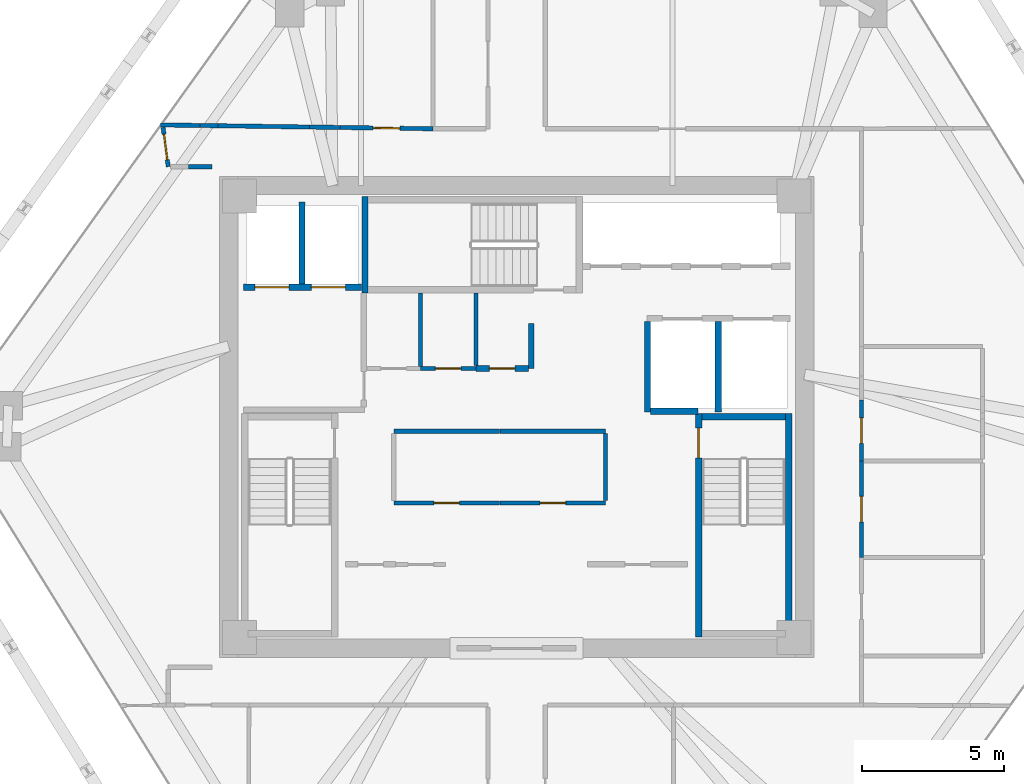
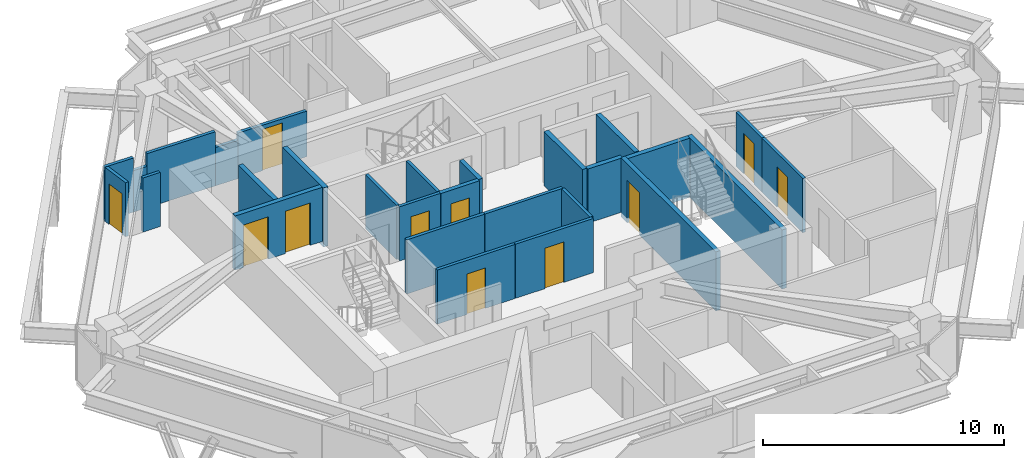
# One storey, part 9 of 12: 28 walls, 11 doors, 11 openings.
"""IFC4 building model written with IfcOpenShell, lengths in metres."""

from ifc_helpers import new_model, si_unit, direction, frame, frame_2d, origin, place, context, subcontext, project, spatial, rectangle, extrude, source, transform, mapped, material, layer, layer_set, type_object, type_shapes, element, fill, save


model = new_model("IFC4")

# Units and contexts
model_context = context("Model", 3, precision=1e-05, world=origin(), true_north=direction((0.0, 1.0)))
body_context = subcontext(model_context, "Body", "Model", "MODEL_VIEW")
ifc_project = project(units=[si_unit("LENGTHUNIT", "METRE"), si_unit("AREAUNIT", "SQUARE_METRE"), si_unit("VOLUMEUNIT", "CUBIC_METRE"), si_unit("PLANEANGLEUNIT", "RADIAN"), si_unit("MASSUNIT", "GRAM", prefix="KILO")], contexts=[model_context])

# Site, building, storey
site_placement = place(None, origin())
site = spatial("IfcSite", under=ifc_project, at=site_placement, CompositionType="ELEMENT")
building_placement = place(site_placement, origin())
building = spatial("IfcBuilding", under=site, at=building_placement, Name="Durnholm Broadcast Tower", CompositionType="ELEMENT")
storey_placement = place(building_placement, frame((0.0, 0.0, 203.199951171875)))
storey = spatial("IfcBuildingStorey", under=building, at=storey_placement, Name="L56", CompositionType="ELEMENT", Elevation=203.199951171875)

# Wall
ifc_material_1 = material(Name="Fire-Rated Gypsum Shaftwall", Category="concrete")
ifc_layer_1 = layer(ifc_material_1, 0.199951171875)
ifc_layer_set_1 = layer_set([ifc_layer_1], Name="Fire-Rated Gypsum Shaftwall")
wall_type_1 = type_object("IfcWallType", Name="WALL-LOB-200", PredefinedType="SOLIDWALL", material=ifc_layer_set_1)
wall_1_placement = place(storey_placement, frame((0.52001953125, 3.300048828125, 0.0), z_axis=(0.0, 0.0, 1.0), x_axis=(0.0, -1.0, 0.0)))
element("IfcWall", 1, at=wall_1_placement, inside=storey, type_object=wall_type_1, Name="L56 Core Telecom Patch Room corridor partition", PredefinedType="SOLIDWALL", context=body_context, shape_type="SweptSolid", body=[
    extrude(rectangle(XDim=1.590087890625, YDim=0.199951171875, at=frame_2d((0.794921875, 0.0))), origin(), (0.0, 0.0, 1.0), 2.7451171875),
])

# Wall, opening, door
wall_2_placement = place(storey_placement, frame((0.416015625, 1.7099609375, 0.0), z_axis=(0.0, 0.0, 1.0), x_axis=(-1.0, 0.0, 0.0)))
wall_2 = element("IfcWall", 2, at=wall_2_placement, inside=storey, type_object=wall_type_1, Name="L56 Core Telecom Patch Room corridor partition", PredefinedType="SOLIDWALL", context=body_context, shape_type="SweptSolid", body=[
    extrude(rectangle(XDim=1.85595703125, YDim=0.199951171875, at=frame_2d((0.927978515625, 0.0))), origin(), (0.0, 0.0, 1.0), 2.7451171875),
])
opening_1_placement = place(wall_2_placement, frame((0.47802734375, 0.0, 0.0)))
opening_1 = element("IfcOpeningElement", 3, at=opening_1_placement, cuts=wall_2, Name="Opening DC-60L", PredefinedType="OPENING", context=body_context, shape_type="SweptSolid", body=[
    extrude(rectangle(XDim=0.89990234375, YDim=2.050048828125, at=frame_2d((0.449951171875, 1.02490234375))), frame((0.0, 0.10986328125, 0.0), z_axis=(0.0, -1.0, 0.0), x_axis=(1.0, 0.0, 0.0)), (0.0, 0.0, 1.0), 0.219970703125),
])
ifc_material_2 = material(Name="Fire-Rated Core Service Door", Category="steel")
ifc_layer_2 = layer(ifc_material_2, 0.050048828125)
ifc_layer_set_2 = layer_set([ifc_layer_2], Name="Fire-Rated Core Service Door")
door_type_1 = type_object("IfcDoorType", Name="DOOR-CORE-FD60-L", OperationType="NOTDEFINED", PredefinedType="DOOR", material=ifc_layer_set_2)
shared_shape_1 = source(origin(), body_context, "Body", "SweptSolid", [
    extrude(rectangle(XDim=0.89990234375, YDim=2.050048828125, at=frame_2d((0.449951171875, 1.02490234375))), frame((0.0, 0.02490234375, 0.0), z_axis=(0.0, -1.0, 0.0), x_axis=(1.0, 0.0, 0.0)), (0.0, 0.0, 1.0), 0.050048828125),
])
type_shapes(door_type_1, [shared_shape_1])
door_1_placement = place(opening_1_placement, origin())
door_1 = element("IfcDoor", 4, at=door_1_placement, inside=storey, type_object=door_type_1, Name="L56 Core Telecom Patch Room entrance door", OperationType="SINGLE_SWING_LEFT", OverallHeight=2.050048828125, OverallWidth=0.89990234375, PredefinedType="DOOR", context=body_context, shape_type="MappedRepresentation", body=[
    mapped(shared_shape_1, transform((0.0, 0.0, 0.0), x_axis=(1.0, 0.0, 0.0), y_axis=(0.0, 1.0, 0.0), z_axis=(0.0, 0.0, 1.0), scale=1.0)),
])
fill(opening_1, door_1)

# Walls
ifc_material_3 = material(Name="Gypsum Metal Stud Partition", Category="concrete")
ifc_layer_3 = layer(ifc_material_3, 0.135009765625)
ifc_layer_set_3 = layer_set([ifc_layer_3], Name="Gypsum Metal Stud Partition")
wall_type_2 = type_object("IfcWallType", Name="WALL-PART-135", PredefinedType="PARTITIONING", material=ifc_layer_set_3)
wall_3_placement = place(storey_placement, frame((-3.39990234375, 4.375, 0.0), z_axis=(0.0, 0.0, 1.0), x_axis=(0.0, -1.0, 0.0)))
element("IfcWall", 5, at=wall_3_placement, inside=storey, type_object=wall_type_2, Name="L56 room dividing partition 6.7", PredefinedType="PARTITIONING", context=body_context, shape_type="SweptSolid", body=[
    extrude(rectangle(XDim=2.5859375, YDim=0.135009765625, at=frame_2d((1.29296875, 0.0))), origin(), (0.0, 0.0, 1.0), 2.7451171875),
])
wall_4_placement = place(storey_placement, frame((-1.43994140625, 4.375, 0.0), z_axis=(0.0, 0.0, 1.0), x_axis=(0.0, -1.0, 0.0)))
element("IfcWall", 6, at=wall_4_placement, inside=storey, type_object=wall_type_2, Name="L56 room dividing partition 7.8", PredefinedType="PARTITIONING", context=body_context, shape_type="SweptSolid", body=[
    extrude(rectangle(XDim=2.56103515625, YDim=0.135009765625, at=frame_2d((1.280517578125, 0.0))), origin(), (0.0, 0.0, 1.0), 2.7451171875),
])

# Wall, opening, door
ifc_material_4 = material(Name="Acoustic Gypsum Stud Partition", Category="concrete")
ifc_layer_4 = layer(ifc_material_4, 0.14990234375)
ifc_layer_set_4 = layer_set([ifc_layer_4], Name="Acoustic Gypsum Stud Partition")
wall_type_3 = type_object("IfcWallType", Name="WALL-PART-150", PredefinedType="PARTITIONING", material=ifc_layer_set_4)
wall_5_placement = place(storey_placement, frame((-0.610107421875, -3.0400390625, 0.0), z_axis=(0.0, 0.0, 1.0), x_axis=(-1.0, 0.0, 0.0)))
wall_5 = element("IfcWall", 7, at=wall_5_placement, inside=storey, type_object=wall_type_3, Name="L56 Digital Tape Archive Store corridor partition", PredefinedType="PARTITIONING", context=body_context, shape_type="SweptSolid", body=[
    extrude(rectangle(XDim=3.72998046875, YDim=0.14990234375, at=frame_2d((1.864990234375, 0.0))), origin(), (0.0, 0.0, 1.0), 2.7451171875),
])
opening_2_placement = place(wall_5_placement, frame((1.4150390625, 0.0, 0.0)))
opening_2 = element("IfcOpeningElement", 8, at=opening_2_placement, cuts=wall_5, Name="Opening DC-60L", PredefinedType="OPENING", context=body_context, shape_type="SweptSolid", body=[
    extrude(rectangle(XDim=0.89990234375, YDim=2.050048828125, at=frame_2d((0.449951171875, 1.02490234375))), frame((0.0, 0.0849609375, 0.0), z_axis=(0.0, -1.0, 0.0), x_axis=(1.0, 0.0, 0.0)), (0.0, 0.0, 1.0), 0.169921875),
])
door_2_placement = place(opening_2_placement, origin())
door_2 = element("IfcDoor", 9, at=door_2_placement, inside=storey, type_object=door_type_1, Name="L56 Digital Tape Archive Store entrance door", OperationType="SINGLE_SWING_LEFT", OverallHeight=2.050048828125, OverallWidth=0.89990234375, PredefinedType="DOOR", context=body_context, shape_type="MappedRepresentation", body=[
    mapped(shared_shape_1, transform((0.0, 0.0, 0.0), x_axis=(1.0, 0.0, 0.0), y_axis=(0.0, 1.0, 0.0), z_axis=(0.0, 0.0, 1.0), scale=1.0)),
])
fill(opening_2, door_2)

# Wall
wall_6_placement = place(storey_placement, frame((-4.340087890625, -0.510009765625, 0.0), z_axis=(0.0, 0.0, 1.0), x_axis=(1.0, 0.0, 0.0)))
element("IfcWall", 10, at=wall_6_placement, inside=storey, type_object=wall_type_3, Name="L56 Digital Tape Archive Store corridor partition", PredefinedType="PARTITIONING", context=body_context, shape_type="SweptSolid", body=[
    extrude(rectangle(XDim=3.72998046875, YDim=0.14990234375, at=frame_2d((1.864990234375, 0.0))), origin(), (0.0, 0.0, 1.0), 2.7451171875),
])

# Wall, opening, door
wall_7_placement = place(storey_placement, frame((3.139892578125, -3.0400390625, 0.0), z_axis=(0.0, 0.0, 1.0), x_axis=(-1.0, 0.0, 0.0)))
wall_7 = element("IfcWall", 11, at=wall_7_placement, inside=storey, type_object=wall_type_3, Name="L56 High-Rise Refreshment Pantry corridor partition", PredefinedType="PARTITIONING", context=body_context, shape_type="SweptSolid", body=[
    extrude(rectangle(XDim=3.72998046875, YDim=0.14990234375, at=frame_2d((1.864990234375, 0.0))), origin(), (0.0, 0.0, 1.0), 2.7451171875),
])
opening_3_placement = place(wall_7_placement, frame((1.4150390625, 0.0, 0.0)))
opening_3 = element("IfcOpeningElement", 12, at=opening_3_placement, cuts=wall_7, Name="Opening DC-60R", PredefinedType="OPENING", context=body_context, shape_type="SweptSolid", body=[
    extrude(rectangle(XDim=0.89990234375, YDim=2.050048828125, at=frame_2d((0.449951171875, 1.02490234375))), frame((0.0, 0.0849609375, 0.0), z_axis=(0.0, -1.0, 0.0), x_axis=(1.0, 0.0, 0.0)), (0.0, 0.0, 1.0), 0.169921875),
])
ifc_layer_5 = layer(ifc_material_2, 0.050048828125)
ifc_layer_set_5 = layer_set([ifc_layer_5], Name="Fire-Rated Core Service Door")
door_type_2 = type_object("IfcDoorType", Name="DOOR-CORE-FD60-R", OperationType="NOTDEFINED", PredefinedType="DOOR", material=ifc_layer_set_5)
shared_shape_2 = source(origin(), body_context, "Body", "SweptSolid", [
    extrude(rectangle(XDim=0.89990234375, YDim=2.050048828125, at=frame_2d((0.449951171875, 1.02490234375))), frame((0.0, 0.02490234375, 0.0), z_axis=(0.0, -1.0, 0.0), x_axis=(1.0, 0.0, 0.0)), (0.0, 0.0, 1.0), 0.050048828125),
])
type_shapes(door_type_2, [shared_shape_2])
door_3_placement = place(opening_3_placement, origin())
door_3 = element("IfcDoor", 13, at=door_3_placement, inside=storey, type_object=door_type_2, Name="L56 High-Rise Refreshment Pantry entrance door", OperationType="SINGLE_SWING_RIGHT", OverallHeight=2.050048828125, OverallWidth=0.89990234375, PredefinedType="DOOR", context=body_context, shape_type="MappedRepresentation", body=[
    mapped(shared_shape_2, transform((0.0, 0.0, 0.0), x_axis=(1.0, 0.0, 0.0), y_axis=(0.0, 1.0, 0.0), z_axis=(0.0, 0.0, 1.0), scale=1.0)),
])
fill(opening_3, door_3)

# Walls
wall_8_placement = place(storey_placement, frame((-0.590087890625, -0.510009765625, 0.0), z_axis=(0.0, 0.0, 1.0), x_axis=(1.0, 0.0, 0.0)))
element("IfcWall", 14, at=wall_8_placement, inside=storey, type_object=wall_type_3, Name="L56 High-Rise Refreshment Pantry corridor partition", PredefinedType="PARTITIONING", context=body_context, shape_type="SweptSolid", body=[
    extrude(rectangle(XDim=3.72998046875, YDim=0.14990234375, at=frame_2d((1.864990234375, 0.0))), origin(), (0.0, 0.0, 1.0), 2.7451171875),
])
wall_9_placement = place(storey_placement, frame((3.139892578125, -0.589111328125, 0.0), z_axis=(0.0, 0.0, 1.0), x_axis=(0.0, -1.0, 0.0)))
element("IfcWall", 15, at=wall_9_placement, inside=storey, type_object=wall_type_3, Name="L56 High-Rise Refreshment Pantry corridor partition", PredefinedType="PARTITIONING", context=body_context, shape_type="SweptSolid", body=[
    extrude(rectangle(XDim=2.371826171875, YDim=0.14990234375, at=frame_2d((1.18603515625, 0.0))), origin(), (0.0, 0.0, 1.0), 2.7451171875),
])

# Wall, opening, door
wall_10_placement = place(storey_placement, frame((-1.43994140625, 1.7099609375, 0.0), z_axis=(0.0, 0.0, 1.0), x_axis=(-1.0, 0.0, 0.0)))
wall_10 = element("IfcWall", 16, at=wall_10_placement, inside=storey, type_object=wall_type_3, Name="L56 Core Janitor Supply Closet corridor partition", PredefinedType="PARTITIONING", context=body_context, shape_type="SweptSolid", body=[
    extrude(rectangle(XDim=1.9599609375, YDim=0.14990234375, at=frame_2d((0.97998046875, 0.0))), origin(), (0.0, 0.0, 1.0), 2.7451171875),
])
opening_4_placement = place(wall_10_placement, frame((0.530029296875, 0.0, 0.0)))
opening_4 = element("IfcOpeningElement", 17, at=opening_4_placement, cuts=wall_10, Name="Opening DC-60R", PredefinedType="OPENING", context=body_context, shape_type="SweptSolid", body=[
    extrude(rectangle(XDim=0.89990234375, YDim=2.050048828125, at=frame_2d((0.449951171875, 1.02490234375))), frame((0.0, 0.0849609375, 0.0), z_axis=(0.0, -1.0, 0.0), x_axis=(1.0, 0.0, 0.0)), (0.0, 0.0, 1.0), 0.169921875),
])
door_4_placement = place(opening_4_placement, origin())
door_4 = element("IfcDoor", 18, at=door_4_placement, inside=storey, type_object=door_type_2, Name="L56 Core Janitor Supply Closet entrance door", OperationType="SINGLE_SWING_RIGHT", OverallHeight=2.050048828125, OverallWidth=0.89990234375, PredefinedType="DOOR", context=body_context, shape_type="MappedRepresentation", body=[
    mapped(shared_shape_2, transform((0.0, 0.0, 0.0), x_axis=(1.0, 0.0, 0.0), y_axis=(0.0, 1.0, 0.0), z_axis=(0.0, 0.0, 1.0), scale=1.0)),
])
fill(opening_4, door_4)

wall_11_placement = place(storey_placement, frame((-2.9599609375, 10.179931640625, 0.0), z_axis=(0.0, 0.0, 1.0), x_axis=(-0.999900650504, 0.014095712907, 0.0)))
wall_11 = element("IfcWall", 19, at=wall_11_placement, inside=storey, type_object=wall_type_3, Name="L56 Open Plan Broadcast Workspace 2 corridor partition", PredefinedType="PARTITIONING", context=body_context, shape_type="SweptSolid", body=[
    extrude(rectangle(XDim=3.2734375, YDim=0.14990234375, at=frame_2d((1.63671875, 0.0))), origin(), (0.0, 0.0, 1.0), 2.308349609375),
])
opening_5_placement = place(wall_11_placement, frame((1.161865234375, 0.0, 0.0)))
opening_5 = element("IfcOpeningElement", 20, at=opening_5_placement, cuts=wall_11, Name="Opening DR-95L", PredefinedType="OPENING", context=body_context, shape_type="SweptSolid", body=[
    extrude(rectangle(XDim=0.949951171875, YDim=2.10009765625, at=frame_2d((0.47509765625, 1.050048828125))), frame((0.0, 0.0849609375, 0.0), z_axis=(0.0, -1.0, 0.0), x_axis=(1.0, 0.0, 0.0)), (0.0, 0.0, 1.0), 0.169921875),
])
ifc_material_5 = material(Name="Acoustic Oak Veneer Timber Door", Category="wood")
ifc_layer_6 = layer(ifc_material_5, 0.050048828125)
ifc_layer_set_6 = layer_set([ifc_layer_6], Name="Acoustic Oak Veneer Timber Door")
door_type_3 = type_object("IfcDoorType", Name="DOOR-RM-950L", OperationType="NOTDEFINED", PredefinedType="DOOR", material=ifc_layer_set_6)
shared_shape_3 = source(origin(), body_context, "Body", "SweptSolid", [
    extrude(rectangle(XDim=0.949951171875, YDim=2.10009765625, at=frame_2d((0.47509765625, 1.050048828125))), frame((0.0, 0.02490234375, 0.0), z_axis=(0.0, -1.0, 0.0), x_axis=(1.0, 0.0, 0.0)), (0.0, 0.0, 1.0), 0.050048828125),
])
type_shapes(door_type_3, [shared_shape_3])
door_5_placement = place(opening_5_placement, origin())
door_5 = element("IfcDoor", 21, at=door_5_placement, inside=storey, type_object=door_type_3, Name="L56 Open Plan Broadcast Workspace 2 entrance door", OperationType="SINGLE_SWING_LEFT", OverallHeight=2.10009765625, OverallWidth=0.949951171875, PredefinedType="DOOR", context=body_context, shape_type="MappedRepresentation", body=[
    mapped(shared_shape_3, transform((0.0, 0.0, 0.0), x_axis=(1.0, 0.0, 0.0), y_axis=(0.0, 1.0, 0.0), z_axis=(0.0, 0.0, 1.0), scale=1.0)),
])
fill(opening_5, door_5)

# Walls
wall_12_placement = place(storey_placement, frame((-7.314697265625, 10.241455078125, 0.0), z_axis=(0.0, 0.0, 1.0), x_axis=(-0.99990075336, 0.014088414774, 0.0)))
element("IfcWall", 22, at=wall_12_placement, inside=storey, type_object=wall_type_3, Name="L56 Open Plan Broadcast Workspace 2 corridor partition", PredefinedType="PARTITIONING", context=body_context, shape_type="SweptSolid", body=[
    extrude(rectangle(XDim=3.240478515625, YDim=0.14990234375, at=frame_2d((1.6201171875, 0.0))), origin(), (0.0, 0.0, 1.0), 2.7451171875),
])
wall_13_placement = place(storey_placement, frame((-11.1943359375, 10.296142578125, 0.0), z_axis=(0.0, 0.0, 1.0), x_axis=(-0.999900583231, 0.014100484163, 0.0)))
element("IfcWall", 23, at=wall_13_placement, inside=storey, type_object=wall_type_3, Name="L56 Open Plan Broadcast Workspace 2 corridor partition", PredefinedType="PARTITIONING", context=body_context, shape_type="SweptSolid", body=[
    extrude(rectangle(XDim=1.38525390625, YDim=0.14990234375, at=frame_2d((0.692626953125, 0.0))), origin(), (0.0, 0.0, 1.0), 2.7451171875),
])
wall_14_placement = place(storey_placement, frame((-6.233154296875, 10.22607421875, 0.0), z_axis=(0.0, 0.0, 1.0), x_axis=(-0.999898893801, 0.014219781108, 0.0)))
element("IfcWall", 24, at=wall_14_placement, inside=storey, type_object=wall_type_3, Name="L56 Open Plan Broadcast Workspace 2 corridor partition", PredefinedType="PARTITIONING", context=body_context, shape_type="SweptSolid", body=[
    extrude(rectangle(XDim=1.08154296875, YDim=0.14990234375, at=frame_2d((0.540771484375, 0.0))), origin(), (0.0, 0.0, 1.0), 1.94189453125),
])
wall_15_placement = place(storey_placement, frame((-10.554931640625, 10.287109375, 0.0), z_axis=(0.0, 0.0, 1.0), x_axis=(-0.999900221389, 0.014126119966, 0.0)))
element("IfcWall", 25, at=wall_15_placement, inside=storey, type_object=wall_type_3, Name="L56 Open Plan Broadcast Workspace 2 corridor partition", PredefinedType="PARTITIONING", context=body_context, shape_type="SweptSolid", body=[
    extrude(rectangle(XDim=0.639404296875, YDim=0.14990234375, at=frame_2d((0.31982421875, 0.0))), origin(), (0.0, 0.0, 1.0), 2.098876953125),
])
wall_16_placement = place(storey_placement, frame((-11.591064453125, 8.840087890625, 0.0), z_axis=(0.0, 0.0, 1.0), x_axis=(1.0, 0.0, 0.0)))
element("IfcWall", 26, at=wall_16_placement, inside=storey, type_object=wall_type_3, Name="L56 Treasury Dining Room corridor partition", PredefinedType="PARTITIONING", context=body_context, shape_type="SweptSolid", body=[
    extrude(rectangle(XDim=0.8310546875, YDim=0.14990234375, at=frame_2d((0.41552734375, 0.0))), origin(), (0.0, 0.0, 1.0), 2.7451171875),
])

# Wall, opening, door
wall_17_placement = place(storey_placement, frame((-12.4921875, 10.2353515625, 0.0), z_axis=(0.0, 0.0, 1.0), x_axis=(0.129435611613, -0.991587828912, 0.0)))
wall_17 = element("IfcWall", 27, at=wall_17_placement, inside=storey, type_object=wall_type_3, Name="L56 Treasury Dining Room corridor partition", PredefinedType="PARTITIONING", context=body_context, shape_type="SweptSolid", body=[
    extrude(rectangle(XDim=1.406982421875, YDim=0.14990234375, at=frame_2d((0.70361328125, 0.0))), origin(), (0.0, 0.0, 1.0), 2.7451171875),
])
opening_6_placement = place(wall_17_placement, frame((0.253662109375, 0.0, 0.0)))
opening_6 = element("IfcOpeningElement", 28, at=opening_6_placement, cuts=wall_17, Name="Opening DW-90R", PredefinedType="OPENING", context=body_context, shape_type="SweptSolid", body=[
    extrude(rectangle(XDim=0.89990234375, YDim=2.050048828125, at=frame_2d((0.449951171875, 1.02490234375))), frame((0.0, 0.0849609375, 0.0), z_axis=(0.0, -1.0, 0.0), x_axis=(1.0, 0.0, 0.0)), (0.0, 0.0, 1.0), 0.169921875),
])
ifc_material_6 = material(Name="Laminate Restroom Door", Category="steel")
ifc_layer_7 = layer(ifc_material_6, 0.050048828125)
ifc_layer_set_7 = layer_set([ifc_layer_7], Name="Laminate Restroom Door")
door_type_4 = type_object("IfcDoorType", Name="DOOR-WC-900R", OperationType="NOTDEFINED", PredefinedType="DOOR", material=ifc_layer_set_7)
shared_shape_4 = source(origin(), body_context, "Body", "SweptSolid", [
    extrude(rectangle(XDim=0.89990234375, YDim=2.050048828125, at=frame_2d((0.449951171875, 1.02490234375))), frame((0.0, 0.02490234375, 0.0), z_axis=(0.0, -1.0, 0.0), x_axis=(1.0, 0.0, 0.0)), (0.0, 0.0, 1.0), 0.050048828125),
])
type_shapes(door_type_4, [shared_shape_4])
door_6_placement = place(opening_6_placement, origin())
door_6 = element("IfcDoor", 29, at=door_6_placement, inside=storey, type_object=door_type_4, Name="L56 Treasury Dining Room entrance door", OperationType="SINGLE_SWING_RIGHT", OverallHeight=2.050048828125, OverallWidth=0.89990234375, PredefinedType="DOOR", context=body_context, shape_type="MappedRepresentation", body=[
    mapped(shared_shape_4, transform((0.0, 0.0, 0.0), x_axis=(1.0, 0.0, 0.0), y_axis=(0.0, 1.0, 0.0), z_axis=(0.0, 0.0, 1.0), scale=1.0)),
])
fill(opening_6, door_6)

# Wall, openings, doors
ifc_material_7 = material(Name="Concrete Blockwork C30/37", Category="masonry")
ifc_layer_8 = layer(ifc_material_7, 0.219970703125)
ifc_layer_set_8 = layer_set([ifc_layer_8], Name="Concrete Blockwork C30/37")
wall_type_4 = type_object("IfcWallType", Name="WALL-SHAFT-220", PredefinedType="SOLIDWALL", material=ifc_layer_set_8)
wall_18_placement = place(storey_placement, frame((-9.64990234375, 4.580078125, 0.0), z_axis=(0.0, 0.0, 1.0), x_axis=(1.0, 0.0, 0.0)))
wall_18 = element("IfcWall", 30, at=wall_18_placement, inside=storey, type_object=wall_type_4, Name="L56 FSAE hoistway front fire wall", PredefinedType="SOLIDWALL", context=body_context, shape_type="SweptSolid", body=[
    extrude(rectangle(XDim=4.1748046875, YDim=0.219970703125, at=frame_2d((2.08740234375, 0.0))), origin(), (0.0, 0.0, 1.0), 2.7451171875),
])
opening_7_placement = place(wall_18_placement, frame((0.39990234375, 0.0, 0.0)))
opening_7 = element("IfcOpeningElement", 31, at=opening_7_placement, cuts=wall_18, Name="Opening LD-FSAE-2", PredefinedType="OPENING", context=body_context, shape_type="SweptSolid", body=[
    extrude(rectangle(XDim=1.199951171875, YDim=2.14990234375, at=frame_2d((0.60009765625, 1.074951171875))), frame((0.0, 0.1201171875, 0.0), z_axis=(0.0, -1.0, 0.0), x_axis=(1.0, 0.0, 0.0)), (0.0, 0.0, 1.0), 0.239990234375),
])
opening_8_placement = place(wall_18_placement, frame((2.39990234375, 0.0, 0.0)))
opening_8 = element("IfcOpeningElement", 32, at=opening_8_placement, cuts=wall_18, Name="Opening LD-FSAE-1", PredefinedType="OPENING", context=body_context, shape_type="SweptSolid", body=[
    extrude(rectangle(XDim=1.199951171875, YDim=2.14990234375, at=frame_2d((0.60009765625, 1.074951171875))), frame((0.0, 0.1201171875, 0.0), z_axis=(0.0, -1.0, 0.0), x_axis=(1.0, 0.0, 0.0)), (0.0, 0.0, 1.0), 0.239990234375),
])
ifc_material_8 = material(Name="Fire Service Access Sliding Landing Door", Category="steel")
ifc_layer_9 = layer(ifc_material_8, 0.050048828125)
ifc_layer_set_9 = layer_set([ifc_layer_9], Name="Fire Service Access Sliding Landing Door")
door_type_5 = type_object("IfcDoorType", Name="DOOR-LIFT-FSAE", OperationType="DOUBLE_DOOR_SLIDING", PredefinedType="DOOR", material=ifc_layer_set_9)
shared_shape_5 = source(origin(), body_context, "Body", "SweptSolid", [
    extrude(rectangle(XDim=1.199951171875, YDim=2.14990234375, at=frame_2d((0.60009765625, 1.074951171875))), frame((0.0, 0.02490234375, 0.0), z_axis=(0.0, -1.0, 0.0), x_axis=(1.0, 0.0, 0.0)), (0.0, 0.0, 1.0), 0.050048828125),
])
type_shapes(door_type_5, [shared_shape_5])
door_7_placement = place(opening_7_placement, origin())
door_7 = element("IfcDoor", 33, at=door_7_placement, inside=storey, type_object=door_type_5, Name="L56 Fire Service Access Elevator FSAE-2 sliding landing door", OperationType="DOUBLE_DOOR_SLIDING", OverallHeight=2.14990234375, OverallWidth=1.199951171875, PredefinedType="DOOR", context=body_context, shape_type="MappedRepresentation", body=[
    mapped(shared_shape_5, transform((0.0, 0.0, 0.0), x_axis=(1.0, 0.0, 0.0), y_axis=(0.0, 1.0, 0.0), z_axis=(0.0, 0.0, 1.0), scale=1.0)),
])
fill(opening_7, door_7)
door_8_placement = place(opening_8_placement, origin())
door_8 = element("IfcDoor", 34, at=door_8_placement, inside=storey, type_object=door_type_5, Name="L56 Fire Service Access Elevator FSAE-1 sliding landing door", OperationType="DOUBLE_DOOR_SLIDING", OverallHeight=2.14990234375, OverallWidth=1.199951171875, PredefinedType="DOOR", context=body_context, shape_type="MappedRepresentation", body=[
    mapped(shared_shape_5, transform((0.0, 0.0, 0.0), x_axis=(1.0, 0.0, 0.0), y_axis=(0.0, 1.0, 0.0), z_axis=(0.0, 0.0, 1.0), scale=1.0)),
])
fill(opening_8, door_8)

# Walls
wall_19_placement = place(storey_placement, frame((-7.580078125, 4.694091796875, 0.0), z_axis=(0.0, 0.0, 1.0), x_axis=(0.0, 1.0, 0.0)))
element("IfcWall", 35, at=wall_19_placement, inside=storey, type_object=wall_type_4, Name="L56 FSAE shaft divider wall", PredefinedType="SOLIDWALL", context=body_context, shape_type="SweptSolid", body=[
    extrude(rectangle(XDim=2.906005859375, YDim=0.219970703125, at=frame_2d((1.453125, 0.0))), origin(), (0.0, 0.0, 1.0), 2.7451171875),
])
for number, where, z_axis, x_axis, name in (
    (36, (4.6201171875, 0.179931640625, 0.0), (0.0, 0.0, 1.0), (0.0, 1.0, 0.0), "L56 freight service lift SVL-2 west wall"),
    (37, (7.1201171875, 0.179931640625, 0.0), (0.0, 0.0, 1.0), (0.0, 1.0, 0.0), "L56 freight service lifts divider wall"),
):
    element("IfcWall", number, at=place(storey_placement, frame(where, z_axis=z_axis, x_axis=x_axis)), inside=storey, type_object=wall_type_4, Name=name, PredefinedType="SOLIDWALL", context=body_context, shape_type="SweptSolid", body=[
        extrude(rectangle(XDim=3.18603515625, YDim=0.219970703125, at=frame_2d((1.593017578125, 0.0))), origin(), (0.0, 0.0, 1.0), 2.7451171875),
    ])
wall_20_placement = place(storey_placement, frame((4.73388671875, 0.199951171875, 0.0), z_axis=(0.0, 0.0, 1.0), x_axis=(1.0, 0.0, 0.0)))
element("IfcWall", 38, at=wall_20_placement, inside=storey, type_object=wall_type_4, Name="L56 freight service lift SVL-2 south wall", PredefinedType="SOLIDWALL", context=body_context, shape_type="SweptSolid", body=[
    extrude(rectangle(XDim=1.666015625, YDim=0.219970703125, at=frame_2d((0.8330078125, 0.0))), origin(), (0.0, 0.0, 1.0), 2.7451171875),
])
ifc_material_9 = material(Name="Concrete C50/60", Category="concrete")
ifc_layer_10 = layer(ifc_material_9, 0.219970703125)
ifc_layer_set_10 = layer_set([ifc_layer_10], Name="Concrete C50/60")
wall_type_5 = type_object("IfcWallType", Name="WALL-SW-220", PredefinedType="SHEAR", material=ifc_layer_set_10)
wall_21_placement = place(storey_placement, frame((9.610107421875, -7.77001953125, -0.239990234375), z_axis=(0.0, 0.0, 1.0), x_axis=(0.0, 1.0, 0.0)))
element("IfcWall", 39, at=wall_21_placement, inside=storey, type_object=wall_type_5, Name="L56 stair ST-2 structural shaft wall E", PredefinedType="SHEAR", context=body_context, shape_type="SweptSolid", body=[
    extrude(rectangle(XDim=7.89013671875, YDim=0.219970703125, at=frame_2d((3.945068359375, 0.0))), origin(), (0.0, 0.0, 1.0), 3.0),
])

# Wall, opening, door
wall_22_placement = place(storey_placement, frame((6.429931640625, 0.1201171875, -0.239990234375), z_axis=(0.0, 0.0, 1.0), x_axis=(0.0, -1.0, 0.0)))
wall_22 = element("IfcWall", 40, at=wall_22_placement, inside=storey, type_object=wall_type_5, Name="L56 stair ST-2 structural shaft wall W", PredefinedType="SHEAR", context=body_context, shape_type="SweptSolid", body=[
    extrude(rectangle(XDim=7.89013671875, YDim=0.219970703125, at=frame_2d((3.945068359375, 0.0))), origin(), (0.0, 0.0, 1.0), 3.0),
])
opening_9_placement = place(wall_22_placement, frame((0.52001953125, 0.0, 0.0)))
opening_9 = element("IfcOpeningElement", 41, at=opening_9_placement, cuts=wall_22, Name="Opening DS-90R", PredefinedType="OPENING", context=body_context, shape_type="SweptSolid", body=[
    extrude(rectangle(XDim=1.050048828125, YDim=2.14990234375, at=frame_2d((0.52490234375, 1.074951171875))), frame((0.0, 0.1201171875, 0.0), z_axis=(0.0, -1.0, 0.0), x_axis=(1.0, 0.0, 0.0)), (0.0, 0.0, 1.0), 0.239990234375),
])
ifc_material_10 = material(Name="Fire-Rated Steel Door", Category="steel")
ifc_layer_11 = layer(ifc_material_10, 0.050048828125)
ifc_layer_set_11 = layer_set([ifc_layer_11], Name="Fire-Rated Steel Door")
door_type_6 = type_object("IfcDoorType", Name="DOOR-ST-FD90-R", OperationType="NOTDEFINED", PredefinedType="DOOR", material=ifc_layer_set_11)
shared_shape_6 = source(origin(), body_context, "Body", "SweptSolid", [
    extrude(rectangle(XDim=1.050048828125, YDim=2.14990234375, at=frame_2d((0.52490234375, 1.074951171875))), frame((0.0, 0.02490234375, 0.0), z_axis=(0.0, -1.0, 0.0), x_axis=(1.0, 0.0, 0.0)), (0.0, 0.0, 1.0), 0.050048828125),
])
type_shapes(door_type_6, [shared_shape_6])
door_9_placement = place(opening_9_placement, origin())
door_9 = element("IfcDoor", 42, at=door_9_placement, inside=storey, type_object=door_type_6, Name="L56 exit stair ST-2 fire door", OperationType="SINGLE_SWING_RIGHT", OverallHeight=2.14990234375, OverallWidth=1.050048828125, PredefinedType="DOOR", context=body_context, shape_type="MappedRepresentation", body=[
    mapped(shared_shape_6, transform((0.0, 0.0, 0.0), x_axis=(1.0, 0.0, 0.0), y_axis=(0.0, 1.0, 0.0), z_axis=(0.0, 0.0, 1.0), scale=1.0)),
])
fill(opening_9, door_9)

# Walls
wall_23_placement = place(storey_placement, frame((9.5, 0.010009765625, -0.239990234375), z_axis=(0.0, 0.0, 1.0), x_axis=(-1.0, 0.0, 0.0)))
element("IfcWall", 43, at=wall_23_placement, inside=storey, type_object=wall_type_5, Name="L56 stair ST-2 structural shaft wall N", PredefinedType="SHEAR", context=body_context, shape_type="SweptSolid", body=[
    extrude(rectangle(XDim=2.9599609375, YDim=0.219970703125, at=frame_2d((1.47998046875, 0.0))), origin(), (0.0, 0.0, 1.0), 3.0),
])
wall_24_placement = place(storey_placement, frame((-5.360107421875, 7.780029296875, -0.239990234375), z_axis=(0.0, 0.0, 1.0), x_axis=(0.0, -1.0, 0.0)))
element("IfcWall", 44, at=wall_24_placement, inside=storey, type_object=wall_type_5, Name="L56 stair ST-3 structural shaft wall W", PredefinedType="SHEAR", context=body_context, shape_type="SweptSolid", body=[
    extrude(rectangle(XDim=3.400146484375, YDim=0.219970703125, at=frame_2d((1.7001953125, 0.0))), origin(), (0.0, 0.0, 1.0), 3.0),
])

# Wall, opening, door
ifc_material_11 = material(Name="Moisture-Resistant Tile Partition", Category="concrete")
ifc_layer_12 = layer(ifc_material_11, 0.139892578125)
ifc_layer_set_12 = layer_set([ifc_layer_12], Name="Moisture-Resistant Tile Partition")
wall_type_6 = type_object("IfcWallType", Name="WALL-WC-140", PredefinedType="PARTITIONING", material=ifc_layer_set_12)
wall_25_placement = place(storey_placement, frame((12.179931640625, -4.9599609375, 0.0), z_axis=(0.0, 0.0, 1.0), x_axis=(0.0, 1.0, 0.0)))
wall_25 = element("IfcWall", 45, at=wall_25_placement, inside=storey, type_object=wall_type_6, Name="L56 Women's Restroom corridor partition", PredefinedType="PARTITIONING", context=body_context, shape_type="SweptSolid", body=[
    extrude(rectangle(XDim=3.39990234375, YDim=0.139892578125, at=frame_2d((1.699951171875, 0.0))), origin(), (0.0, 0.0, 1.0), 2.7451171875),
])
opening_10_placement = place(wall_25_placement, frame((1.25, 0.0, 0.0)))
opening_10 = element("IfcOpeningElement", 46, at=opening_10_placement, cuts=wall_25, Name="Opening DW-90L", PredefinedType="OPENING", context=body_context, shape_type="SweptSolid", body=[
    extrude(rectangle(XDim=0.89990234375, YDim=2.050048828125, at=frame_2d((0.449951171875, 1.02490234375))), frame((0.0, 0.080078125, 0.0), z_axis=(0.0, -1.0, 0.0), x_axis=(1.0, 0.0, 0.0)), (0.0, 0.0, 1.0), 0.159912109375),
])
ifc_layer_13 = layer(ifc_material_6, 0.050048828125)
ifc_layer_set_13 = layer_set([ifc_layer_13], Name="Laminate Restroom Door")
door_type_7 = type_object("IfcDoorType", Name="DOOR-WC-900L", OperationType="NOTDEFINED", PredefinedType="DOOR", material=ifc_layer_set_13)
shared_shape_7 = source(origin(), body_context, "Body", "SweptSolid", [
    extrude(rectangle(XDim=0.89990234375, YDim=2.050048828125, at=frame_2d((0.449951171875, 1.02490234375))), frame((0.0, 0.02490234375, 0.0), z_axis=(0.0, -1.0, 0.0), x_axis=(1.0, 0.0, 0.0)), (0.0, 0.0, 1.0), 0.050048828125),
])
type_shapes(door_type_7, [shared_shape_7])
door_10_placement = place(opening_10_placement, origin())
door_10 = element("IfcDoor", 47, at=door_10_placement, inside=storey, type_object=door_type_7, Name="L56 Women's Restroom entrance door", OperationType="SINGLE_SWING_LEFT", OverallHeight=2.050048828125, OverallWidth=0.89990234375, PredefinedType="DOOR", context=body_context, shape_type="MappedRepresentation", body=[
    mapped(shared_shape_7, transform((0.0, 0.0, 0.0), x_axis=(1.0, 0.0, 0.0), y_axis=(0.0, 1.0, 0.0), z_axis=(0.0, 0.0, 1.0), scale=1.0)),
])
fill(opening_10, door_10)

wall_26_placement = place(storey_placement, frame((12.179931640625, -1.56005859375, 0.0), z_axis=(0.0, 0.0, 1.0), x_axis=(0.0, 1.0, 0.0)))
wall_26 = element("IfcWall", 48, at=wall_26_placement, inside=storey, type_object=wall_type_6, Name="L56 Accessible Restroom corridor partition", PredefinedType="PARTITIONING", context=body_context, shape_type="SweptSolid", body=[
    extrude(rectangle(XDim=2.158935546875, YDim=0.139892578125, at=frame_2d((1.07958984375, 0.0))), origin(), (0.0, 0.0, 1.0), 2.7451171875),
])
opening_11_placement = place(wall_26_placement, frame((0.62939453125, 0.0, 0.0)))
opening_11 = element("IfcOpeningElement", 49, at=opening_11_placement, cuts=wall_26, Name="Opening DW-90R", PredefinedType="OPENING", context=body_context, shape_type="SweptSolid", body=[
    extrude(rectangle(XDim=0.89990234375, YDim=2.050048828125, at=frame_2d((0.449951171875, 1.02490234375))), frame((0.0, 0.080078125, 0.0), z_axis=(0.0, -1.0, 0.0), x_axis=(1.0, 0.0, 0.0)), (0.0, 0.0, 1.0), 0.159912109375),
])
door_11_placement = place(opening_11_placement, origin())
door_11 = element("IfcDoor", 50, at=door_11_placement, inside=storey, type_object=door_type_4, Name="L56 Accessible Restroom entrance door", OperationType="SINGLE_SWING_RIGHT", OverallHeight=2.050048828125, OverallWidth=0.89990234375, PredefinedType="DOOR", context=body_context, shape_type="MappedRepresentation", body=[
    mapped(shared_shape_4, transform((0.0, 0.0, 0.0), x_axis=(1.0, 0.0, 0.0), y_axis=(0.0, 1.0, 0.0), z_axis=(0.0, 0.0, 1.0), scale=1.0)),
])
fill(opening_11, door_11)

save(model, "model.ifc")
